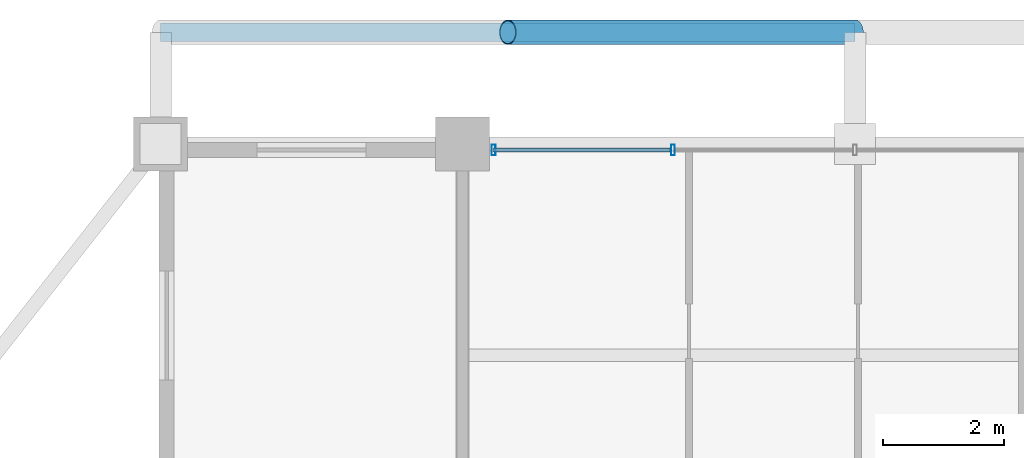
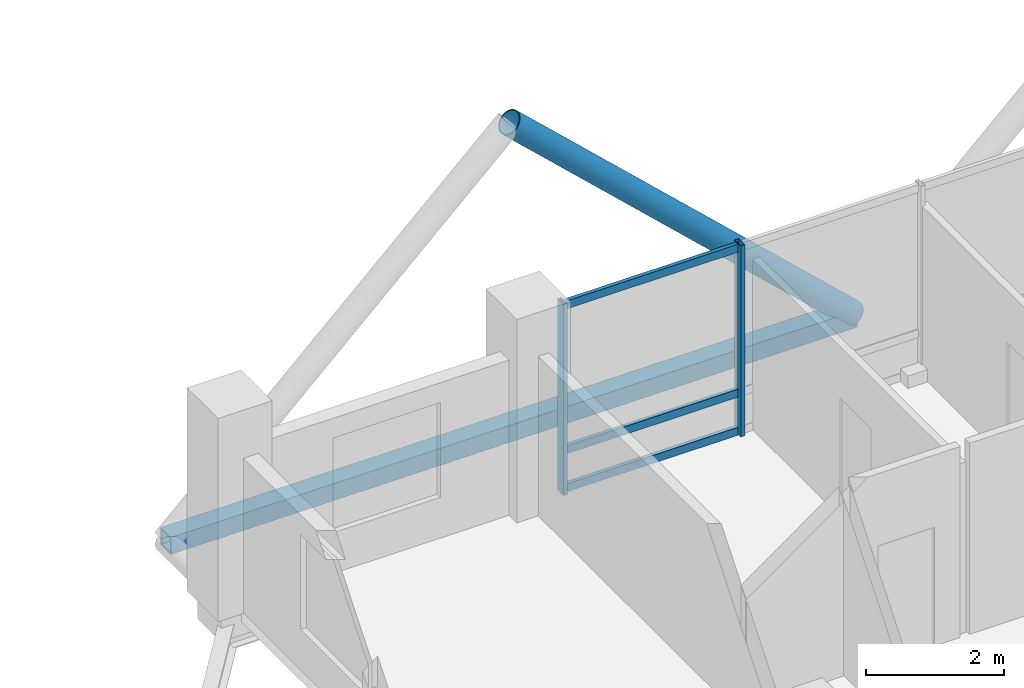
# One storey, part 15 of 24: 7 members, 1 element without a shape of its own.
"""IFC4 building model written with IfcOpenShell, lengths in metres."""

import ifcopenshell
import ifcopenshell.guid

model = None  # the IFC model being written
_history = None  # IfcOwnerHistory: only IFC2X3 demands one
_inside = {}  # id of a spatial element -> (the spatial element, [elements in it])
_under = {}  # id of a project, library or spatial element -> (it, [spatial elements below it])
_declared = {}  # id of a project -> (the project, [libraries it declares])
_typed = {}  # id of a type object -> (the type object, [elements of that type])
_made_of = {}  # id of a material, layer set ... -> (it, [elements and type objects made of it])


def new_model(schema):
    """Start an empty IFC model of exactly this schema.

    Asked for "IFC4X3", IfcOpenShell would pick the latest addendum, in which some entities
    have other attributes; the version numbers below select the first issue.
    IFC2X3 requires an IfcOwnerHistory on every rooted entity: one is made here for all.
    """
    global model, _history
    if schema == "IFC4X3":
        model = ifcopenshell.file(schema_version=(4, 3, 0, 0))
    else:
        model = ifcopenshell.file(schema=schema)
    _inside.clear()
    _under.clear()
    _declared.clear()
    _typed.clear()
    _made_of.clear()
    _history = None
    if model.schema == "IFC2X3":
        org = make("IfcOrganization", Name="unknown")
        user = make(
            "IfcPersonAndOrganization",
            ThePerson=make("IfcPerson", FamilyName="unknown"),
            TheOrganization=org,
        )
        app = make(
            "IfcApplication",
            ApplicationDeveloper=org,
            Version="unknown",
            ApplicationFullName="unknown",
            ApplicationIdentifier="unknown",
        )
        _history = make(
            "IfcOwnerHistory",
            OwningUser=user,
            OwningApplication=app,
            ChangeAction="ADDED",
            CreationDate=0,
        )
    return model


def make(cls, **values):
    """One entity of the class cls with the attributes given. An attribute that is None is left unset."""
    return model.create_entity(
        cls, **{name: value for name, value in values.items() if value is not None}
    )


def rooted(cls, **values):
    """An entity with a GlobalId (a new one), such as an element, a storey or a relation."""
    return make(cls, GlobalId=ifcopenshell.guid.new(), OwnerHistory=_history, **values)


def si_unit(unit_type, name, prefix=None):
    """IfcSIUnit, for example si_unit("LENGTHUNIT", "METRE", prefix="MILLI")."""
    return make("IfcSIUnit", UnitType=unit_type, Prefix=prefix, Name=name)


def assignment(units):
    """IfcUnitAssignment: the units of a project."""
    return None if units is None else make("IfcUnitAssignment", Units=units)


def point(xyz):
    """IfcCartesianPoint."""
    return None if xyz is None else make("IfcCartesianPoint", Coordinates=xyz)


def direction(xyz):
    """IfcDirection."""
    return None if xyz is None else make("IfcDirection", DirectionRatios=xyz)


def frame(location, z_axis=None, x_axis=None):
    """IfcAxis2Placement3D, a coordinate frame: its origin and axes. An axis left out is left unset."""
    return make(
        "IfcAxis2Placement3D",
        Location=point(location),
        Axis=direction(z_axis),
        RefDirection=direction(x_axis),
    )


def frame_2d(location, x_axis=None):
    """IfcAxis2Placement2D, a coordinate frame in the plane: its origin and x axis."""
    return make(
        "IfcAxis2Placement2D", Location=point(location), RefDirection=direction(x_axis)
    )


def origin():
    """The frame at (0, 0, 0) with its axes left unset."""
    return frame((0.0, 0.0, 0.0))


def origin_2d():
    """The frame at (0, 0) in the plane with its x axis left unset."""
    return frame_2d((0.0, 0.0))


def place(relative_to, where):
    """IfcLocalPlacement: puts the frame where relative to a parent placement (None: the world)."""
    return make(
        "IfcLocalPlacement", PlacementRelTo=relative_to, RelativePlacement=where
    )


def context(
    kind, dimensions, precision=None, world=None, true_north=None, identifier=None
):
    """IfcGeometricRepresentationContext, for example the 3D "Model" context."""
    return make(
        "IfcGeometricRepresentationContext",
        ContextIdentifier=identifier,
        ContextType=kind,
        CoordinateSpaceDimension=dimensions,
        Precision=precision,
        WorldCoordinateSystem=world,
        TrueNorth=true_north,
    )


def subcontext(parent, identifier, kind, view, scale=None):
    """IfcGeometricRepresentationSubContext, for example "Body" below "Model"."""
    return make(
        "IfcGeometricRepresentationSubContext",
        ContextIdentifier=identifier,
        ContextType=kind,
        ParentContext=parent,
        TargetScale=scale,
        TargetView=view,
    )


def project(units=None, contexts=None):
    """IfcProject with its units and contexts."""
    return rooted(
        "IfcProject",
        Name="project",
        RepresentationContexts=contexts,
        UnitsInContext=assignment(units),
    )


def spatial(cls, under=None, at=None, **own):
    """A site, building, storey or space (cls), placed at a placement, below another one or the project."""
    s = rooted(cls, ObjectPlacement=at, **own)
    if under is not None:
        _under.setdefault(under.id(), (under, []))[1].append(s)
    return s


def profile(cls, at=None, kind="AREA", **sizes):
    """A parametric profile (cls). Its sizes go by their IFC names, for example OverallWidth=200.0."""
    return make(cls, ProfileType=kind, Position=at, **sizes)


def hollow_rectangle(**sizes):
    """IfcRectangleHollowProfileDef."""
    return profile("IfcRectangleHollowProfileDef", **sizes)


def hollow_circle(**sizes):
    """IfcCircleHollowProfileDef."""
    return profile("IfcCircleHollowProfileDef", **sizes)


def extrude(swept, where, along, depth):
    """IfcExtrudedAreaSolid: the profile swept, set in the frame where, extruded along a direction by depth."""
    return make(
        "IfcExtrudedAreaSolid",
        SweptArea=swept,
        Position=where,
        ExtrudedDirection=direction(along),
        Depth=depth,
    )


def shape(context_of_items, identifier, shape_type, items):
    """IfcShapeRepresentation: the items that make up one representation, for example the "Body"."""
    return make(
        "IfcShapeRepresentation",
        ContextOfItems=context_of_items,
        RepresentationIdentifier=identifier,
        RepresentationType=shape_type,
        Items=items,
    )


def material(Name=None, Category=None):
    """IfcMaterial."""
    return make("IfcMaterial", Name=Name, Category=Category)


def layer(
    of_material, thickness, ventilated=None, Name=None, Category=None, Priority=None
):
    """IfcMaterialLayer: one layer of a wall or slab, of a material (None: an air gap)."""
    return make(
        "IfcMaterialLayer",
        Material=of_material,
        LayerThickness=thickness,
        IsVentilated=ventilated,
        Name=Name,
        Category=Category,
        Priority=Priority,
    )


def layer_set(layers, Name=None):
    """IfcMaterialLayerSet."""
    return make("IfcMaterialLayerSet", MaterialLayers=layers, LayerSetName=Name)


def material_profile(
    of_material, cross_section, Name=None, Category=None, Priority=None
):
    """IfcMaterialProfile: a cross section and its material."""
    return make(
        "IfcMaterialProfile",
        Name=Name,
        Material=of_material,
        Profile=cross_section,
        Priority=Priority,
        Category=Category,
    )


def profile_set(profiles, Name=None, composite=None):
    """IfcMaterialProfileSet."""
    return make(
        "IfcMaterialProfileSet",
        Name=Name,
        MaterialProfiles=profiles,
        CompositeProfile=composite,
    )


def made_of(thing, what):
    """Note that an element or type object is made of a material, layer set ...; save() writes the relation."""
    if what is not None:
        _made_of.setdefault(what.id(), (what, []))[1].append(thing)
    return thing


def type_object(cls, material=None, **own):
    """A type object (cls), such as IfcWallType, which elements share."""
    return made_of(rooted(cls, **own), material)


def element(
    cls,
    number,
    at=None,
    inside=None,
    cuts=None,
    type_object=None,
    material=None,
    context=None,
    identifier="Body",
    shape_type=None,
    held_by="IfcProductDefinitionShape",
    body=None,
    shapes=None,
    **own,
):
    """One element of the class cls, such as IfcWall. Its Tag is "e" and its number.

    at: its placement. inside: the storey or other place that contains it. cuts: it is an
    opening in that element (IfcRelVoidsElement). A single representation is given by context,
    identifier, shape_type and body (its items); several are given by shapes. held_by: the class
    of the entity that holds the representations. save() writes the other relations.
    """
    e = rooted(cls, Tag="e%d" % number, ObjectPlacement=at, **own)
    if body is not None:
        shapes = [shape(context, identifier, shape_type, body)]
    if shapes is not None:
        e.Representation = make(held_by, Representations=shapes)
    if inside is not None:
        _inside.setdefault(inside.id(), (inside, []))[1].append(e)
    if cuts is not None:
        rooted(
            "IfcRelVoidsElement", RelatingBuildingElement=cuts, RelatedOpeningElement=e
        )
    if type_object is not None:
        _typed.setdefault(type_object.id(), (type_object, []))[1].append(e)
    return made_of(e, material)


def aggregate(whole, parts):
    """IfcRelAggregates: a whole, such as a stair, and the parts it consists of."""
    return rooted("IfcRelAggregates", RelatingObject=whole, RelatedObjects=parts)


def save(model, path):
    """Write the relations noted so far, then the file.

    IfcRelAggregates (storeys below a building ...), IfcRelContainedInSpatialStructure (elements
    in a storey), IfcRelDefinesByType, IfcRelAssociatesMaterial and IfcRelDeclares: one each for
    every whole, place, type object, material and project.
    """
    for whole, parts in _under.values():
        aggregate(whole, parts)
    for where, things in _inside.values():
        rooted(
            "IfcRelContainedInSpatialStructure",
            RelatedElements=things,
            RelatingStructure=where,
        )
    for kind, things in _typed.values():
        rooted("IfcRelDefinesByType", RelatedObjects=things, RelatingType=kind)
    for what, things in _made_of.values():
        rooted("IfcRelAssociatesMaterial", RelatedObjects=things, RelatingMaterial=what)
    for by, libraries in _declared.values():
        rooted("IfcRelDeclares", RelatingContext=by, RelatedDefinitions=libraries)
    model.write(path)


model = new_model("IFC4")

# Units and contexts
model_context = context("Model", 3, precision=1e-05, world=origin(), true_north=direction((0.0, 1.0)))
body_context = subcontext(model_context, "Body", "Model", "MODEL_VIEW")
ifc_project = project(units=[si_unit("LENGTHUNIT", "METRE"), si_unit("AREAUNIT", "SQUARE_METRE"), si_unit("VOLUMEUNIT", "CUBIC_METRE"), si_unit("PLANEANGLEUNIT", "RADIAN"), si_unit("MASSUNIT", "GRAM", prefix="KILO")], contexts=[model_context])

# Site, building, storey
site_placement = place(None, origin())
site = spatial("IfcSite", under=ifc_project, at=site_placement, CompositionType="ELEMENT")
building_placement = place(site_placement, origin())
building = spatial("IfcBuilding", under=site, at=building_placement, Name="Barlavira Tower and Art Museum", CompositionType="ELEMENT")
storey_placement = place(building_placement, frame((0.0, 0.0, 240.300048828125)))
storey = spatial("IfcBuildingStorey", under=building, at=storey_placement, Name="L62", CompositionType="ELEMENT", Elevation=240.300048828125)

# Curtain wall, members
ifc_material_1 = material(Name="Low-iron coastal laminated glass", Category="glass")
ifc_layer = layer(ifc_material_1, 0.2099609375, Name="Low-iron coastal laminated glass")
ifc_layer_set = layer_set([ifc_layer], Name="Low-iron coastal laminated glass")
curtain_wall_type = type_object("IfcCurtainWallType", Name="Pale-Metal Unitised Curtain Wall Zone 4", PredefinedType="NOTDEFINED", material=ifc_layer_set)
curtain_wall_placement = place(storey_placement, origin())
curtain_wall = element("IfcCurtainWall", 1, at=curtain_wall_placement, inside=storey, type_object=curtain_wall_type, Name="L62 Curtain Wall CW4-L62-N-B2", PredefinedType="NOTDEFINED")
ifc_material_2 = material(Name="Pale anodised aluminium", Category="aluminium")
ifc_material_profile_1 = material_profile(ifc_material_2, hollow_rectangle(XDim=0.06494140625, YDim=0.179931640625, WallThickness=0.00390625, at=origin_2d()), Name="ALU-MULL 65x180x4")
ifc_profile_set_1 = profile_set([ifc_material_profile_1], Name="Pale anodised aluminium")
member_type_1 = type_object("IfcMemberType", Name="Curtain Wall Pale-Metal Mullion 65x180", PredefinedType="MULLION", material=ifc_profile_set_1)
member_1_placement = place(storey_placement, frame((-3.014892578125, 19.89990234375, 0.0), z_axis=(0.0, 0.0, 1.0), x_axis=(-1.0, 0.0, 0.0)))
member_1 = element("IfcMember", 2, at=member_1_placement, type_object=member_type_1, Name="CW4-L62-N-B2 Mullion 3", PredefinedType="MULLION", context=body_context, shape_type="SweptSolid", body=[
    extrude(hollow_rectangle(XDim=0.06494140625, YDim=0.179931640625, WallThickness=0.00390625, at=origin_2d()), origin(), (0.0, 0.0, 1.0), 3.3798828125),
])
member_2_placement = place(storey_placement, frame((-5.985107421875, 19.89990234375, 0.0), z_axis=(0.0, 0.0, 1.0), x_axis=(-1.0, 0.0, 0.0)))
member_2 = element("IfcMember", 3, at=member_2_placement, type_object=member_type_1, Name="CW4-L62-N-B2 Mullion 4", PredefinedType="MULLION", context=body_context, shape_type="SweptSolid", body=[
    extrude(hollow_rectangle(XDim=0.06494140625, YDim=0.179931640625, WallThickness=0.00390625, at=origin_2d()), origin(), (0.0, 0.0, 1.0), 3.3798828125),
])
ifc_material_profile_2 = material_profile(ifc_material_2, hollow_rectangle(XDim=0.06494140625, YDim=0.139892578125, WallThickness=0.00390625, at=origin_2d()), Name="ALU-TRAN 65x140x4")
ifc_profile_set_2 = profile_set([ifc_material_profile_2], Name="Pale anodised aluminium")
member_type_2 = type_object("IfcMemberType", Name="Curtain Wall Pale-Metal Transom 65x140", PredefinedType="USERDEFINED", material=ifc_profile_set_2)
member_3_placement = place(storey_placement, frame((-3.06005859375, 19.89990234375, 0.070068359375), z_axis=(-1.0, 0.0, 0.0), x_axis=(0.0, -1.0, 0.0)))
member_3 = element("IfcMember", 4, at=member_3_placement, type_object=member_type_2, Name="CW4-L62-N-B2 Transom 3.1", ObjectType="TRANSOM", PredefinedType="USERDEFINED", context=body_context, shape_type="SweptSolid", body=[
    extrude(hollow_rectangle(XDim=0.06494140625, YDim=0.139892578125, WallThickness=0.00390625, at=origin_2d()), origin(), (0.0, 0.0, 1.0), 2.925048828125),
])
member_4_placement = place(storey_placement, frame((-3.06005859375, 19.89990234375, 0.743896484375), z_axis=(-1.0, 0.0, 0.0), x_axis=(0.0, -1.0, 0.0)))
member_4 = element("IfcMember", 5, at=member_4_placement, type_object=member_type_2, Name="CW4-L62-N-B2 Transom 3.2", ObjectType="TRANSOM", PredefinedType="USERDEFINED", context=body_context, shape_type="SweptSolid", body=[
    extrude(hollow_rectangle(XDim=0.06494140625, YDim=0.139892578125, WallThickness=0.00390625, at=origin_2d()), origin(), (0.0, 0.0, 1.0), 2.925048828125),
])
member_5_placement = place(storey_placement, frame((-3.06005859375, 19.89990234375, 3.31005859375), z_axis=(-1.0, 0.0, 0.0), x_axis=(0.0, -1.0, 0.0)))
member_5 = element("IfcMember", 6, at=member_5_placement, type_object=member_type_2, Name="CW4-L62-N-B2 Transom 3.3", ObjectType="TRANSOM", PredefinedType="USERDEFINED", context=body_context, shape_type="SweptSolid", body=[
    extrude(hollow_rectangle(XDim=0.06494140625, YDim=0.139892578125, WallThickness=0.00390625, at=origin_2d()), origin(), (0.0, 0.0, 1.0), 2.925048828125),
])
aggregate(curtain_wall, [member_1, member_2, member_3, member_4, member_5])

# Members
ifc_material_3 = material(Name="Steel S355", Category="steel")
ifc_material_profile_3 = material_profile(ifc_material_3, hollow_circle(Radius=0.203125, WallThickness=0.01611328125, at=origin_2d()), Name="CHS 406.4x16.0")
ifc_profile_set_3 = profile_set([ifc_material_profile_3], Name="Steel S355")
member_type_3 = type_object("IfcMemberType", Name="Pale-Metal Exoskeleton Diagrid Tube CHS 406x16 Steel S355", PredefinedType="BRACE", material=ifc_profile_set_3)
member_6_placement = place(storey_placement, frame((0.0, 21.85009765625, -0.1201171875), z_axis=(-0.728934650808, 0.0, 0.684583285548), x_axis=(0.0, -1.0, 0.0)))
element("IfcMember", 7, at=member_6_placement, inside=storey, type_object=member_type_3, Name="L62 Exoskeleton Diagrid Tube N", PredefinedType="BRACE", context=body_context, shape_type="SweptSolid", body=[
    extrude(hollow_circle(Radius=0.203125, WallThickness=0.01611328125, at=origin_2d()), origin(), (0.0, 0.0, 1.0), 7.88818359375),
])
ifc_material_profile_4 = material_profile(ifc_material_3, hollow_rectangle(XDim=0.300048828125, YDim=0.300048828125, WallThickness=0.01611328125, at=origin_2d()), Name="SHS 300x300x16.0")
ifc_profile_set_4 = profile_set([ifc_material_profile_4], Name="Steel S355")
member_type_4 = type_object("IfcMemberType", Name="Pale-Metal Upper Ring Strut SHS 300x300x16 Steel S355", PredefinedType="STRUT", material=ifc_profile_set_4)
member_7_placement = place(storey_placement, frame((-11.5, 21.85009765625, -0.1201171875), z_axis=(1.0, 0.0, 0.0), x_axis=(0.0, 1.0, 0.0)))
element("IfcMember", 8, at=member_7_placement, inside=storey, type_object=member_type_4, Name="L62 Exoskeleton Ring Strut N", PredefinedType="STRUT", context=body_context, shape_type="SweptSolid", body=[
    extrude(hollow_rectangle(XDim=0.300048828125, YDim=0.300048828125, WallThickness=0.01611328125, at=origin_2d()), origin(), (0.0, 0.0, 1.0), 11.5),
])

save(model, "model.ifc")
